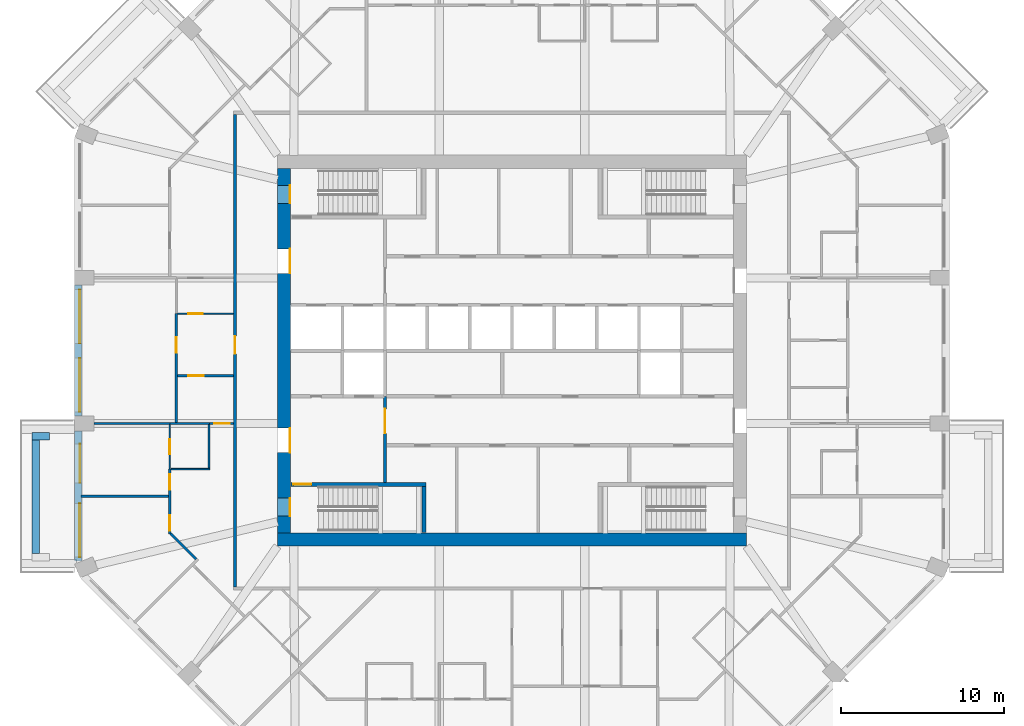
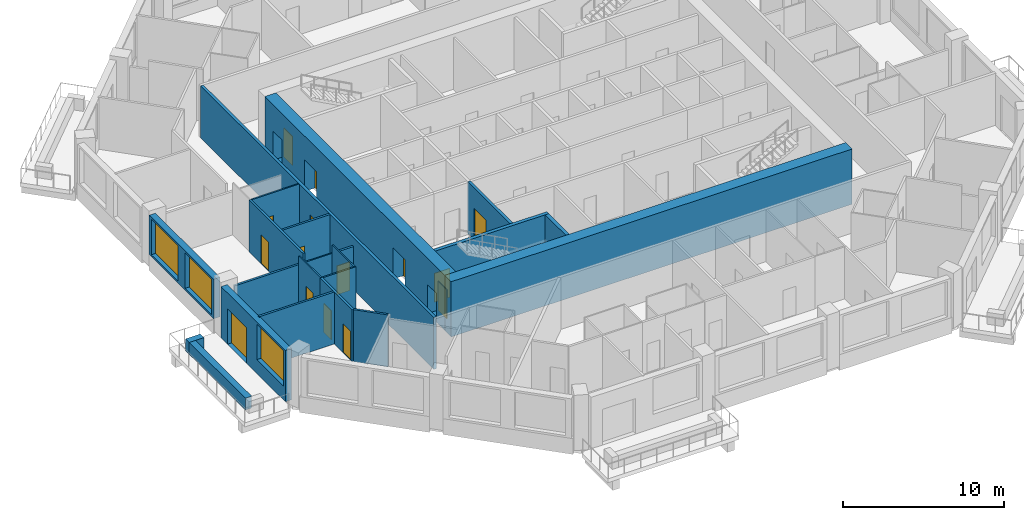
# One storey, part 4 of 12: 22 walls, 15 doors, 3 windows, 18 openings.
"""IFC4 building model written with IfcOpenShell, lengths in metres."""

from ifc_helpers import new_model, si_unit, direction, frame, frame_2d, origin, place, context, subcontext, project, spatial, rectangle, extrude, material, layer, layer_set, type_object, element, fill, save


model = new_model("IFC4")

# Units and contexts
model_context = context("Model", 3, precision=1e-05, world=origin(), true_north=direction((0.0, 1.0)))
body_context = subcontext(model_context, "Body", "Model", "MODEL_VIEW")
ifc_project = project(units=[si_unit("LENGTHUNIT", "METRE"), si_unit("AREAUNIT", "SQUARE_METRE"), si_unit("VOLUMEUNIT", "CUBIC_METRE"), si_unit("PLANEANGLEUNIT", "RADIAN"), si_unit("MASSUNIT", "GRAM", prefix="KILO")], contexts=[model_context])

# Site, building, storey
site_placement = place(None, origin())
site = spatial("IfcSite", under=ifc_project, at=site_placement, CompositionType="ELEMENT")
building_placement = place(site_placement, origin())
building = spatial("IfcBuilding", under=site, at=building_placement, Name="Msitu Wima Residences", CompositionType="ELEMENT")
storey_placement = place(building_placement, frame((0.0, 0.0, 119.10009765625)))
storey = spatial("IfcBuildingStorey", under=building, at=storey_placement, Name="L27", CompositionType="ELEMENT", Elevation=119.10009765625)

# Walls
ifc_material_1 = material(Name="Facing brick")
ifc_layer_1 = layer(ifc_material_1, 0.06494140625, Name="Facing brick")
ifc_material_2 = material(Name="Concrete C40/50", Category="concrete")
ifc_layer_2 = layer(ifc_material_2, 0.156005859375, Name="Concrete C40/50")
ifc_material_3 = material(Name="Waterproofing membrane")
ifc_layer_3 = layer(ifc_material_3, 0.00390625, Name="Waterproofing membrane")
ifc_material_4 = material(Name="Planting soil and planting")
ifc_layer_4 = layer(ifc_material_4, 0.22509765625, Name="Planting soil and planting")
ifc_layer_set_1 = layer_set([ifc_layer_1, ifc_layer_2, ifc_layer_3, ifc_layer_4], Name="Concrete C40/50")
wall_type_1 = type_object("IfcWallType", Name="Balcony planter PLANTER PL450", PredefinedType="USERDEFINED", material=ifc_layer_set_1)
wall_1_placement = place(storey_placement, frame((-29.22509765625, -5.468505859375, 0.0), z_axis=(0.0, 0.0, 1.0), x_axis=(0.0, -1.0, 0.0)))
element("IfcWall", 1, at=wall_1_placement, inside=storey, type_object=wall_type_1, Name="Balcony planter W2 L27", ObjectType="PLANTER", PredefinedType="USERDEFINED", context=body_context, shape_type="SweptSolid", body=[
    extrude(rectangle(XDim=6.9873046875, YDim=0.449951171875, at=frame_2d((3.49365234375, 0.0))), origin(), (0.0, 0.0, 1.0), 0.89990234375),
])
wall_2_placement = place(storey_placement, frame((-28.39990234375, -5.24365234375, 0.0), z_axis=(0.0, 0.0, 1.0), x_axis=(-1.0, 0.0, 0.0)))
element("IfcWall", 2, at=wall_2_placement, inside=storey, type_object=wall_type_1, Name="Balcony planter W2 L27", ObjectType="PLANTER", PredefinedType="USERDEFINED", context=body_context, shape_type="SweptSolid", body=[
    extrude(rectangle(XDim=1.050048828125, YDim=0.449951171875, at=frame_2d((0.52490234375, 0.0))), origin(), (0.0, 0.0, 1.0), 0.89990234375),
])

# Wall, openings, windows
ifc_material_5 = material(Name="Brick (red buff mix)", Category="masonry")
ifc_layer_5 = layer(ifc_material_5, 0.449951171875)
ifc_layer_set_2 = layer_set([ifc_layer_5], Name="Brick (red buff mix)")
wall_type_2 = type_object("IfcWallType", Name="Brick infill wall BW450", PredefinedType="SOLIDWALL", material=ifc_layer_set_2)
wall_3_placement = place(storey_placement, frame((-26.625, 4.0185546875, 0.89990234375), z_axis=(0.0, 0.0, 1.0), x_axis=(0.0, -1.0, 0.0)))
wall_3 = element("IfcWall", 3, at=wall_3_placement, inside=storey, type_object=wall_type_2, Name="Brick infill wall L27 W1", PredefinedType="SOLIDWALL", context=body_context, shape_type="SweptSolid", body=[
    extrude(rectangle(XDim=8.037109375, YDim=0.449951171875, at=frame_2d((4.0185546875, 0.0))), origin(), (0.0, 0.0, 1.0), 3.0),
])
opening_1_placement = place(wall_3_placement, frame((0.2685546875, 0.0, 0.14990234375)))
opening_1 = element("IfcOpeningElement", 4, at=opening_1_placement, cuts=wall_3, Name="Opening W27-29.031", PredefinedType="OPENING", context=body_context, shape_type="SweptSolid", body=[
    extrude(rectangle(XDim=3.300048828125, YDim=2.699951171875, at=frame_2d((1.64990234375, 1.35009765625))), frame((0.0, 0.23486328125, 0.0), z_axis=(0.0, -1.0, 0.0), x_axis=(1.0, 0.0, 0.0)), (0.0, 0.0, 1.0), 0.469970703125),
])
opening_2_placement = place(wall_3_placement, frame((4.46875, 0.0, 0.14990234375)))
opening_2 = element("IfcOpeningElement", 5, at=opening_2_placement, cuts=wall_3, Name="Opening W27-29.032", PredefinedType="OPENING", context=body_context, shape_type="SweptSolid", body=[
    extrude(rectangle(XDim=3.300048828125, YDim=2.699951171875, at=frame_2d((1.64990234375, 1.35009765625))), frame((0.0, 0.23486328125, 0.0), z_axis=(0.0, -1.0, 0.0), x_axis=(1.0, 0.0, 0.0)), (0.0, 0.0, 1.0), 0.469970703125),
])
ifc_material_6 = material(Name="Anodised aluminium, bronze finish, clear low-emissivity double glazing", Category="aluminium")
window_type = type_object("IfcWindowType", Name="Window W3300x2700", PartitioningType="DOUBLE_PANEL_VERTICAL", PredefinedType="WINDOW", material=ifc_material_6)
window_1_placement = place(opening_1_placement, origin())
window_1 = element("IfcWindow", 6, at=window_1_placement, inside=storey, type_object=window_type, Name="Window L27 W1.1", OverallHeight=2.699951171875, OverallWidth=3.300048828125, PartitioningType="SINGLE_PANEL", PredefinedType="WINDOW", context=body_context, shape_type="SweptSolid", body=[
    extrude(rectangle(XDim=3.300048828125, YDim=2.699951171875, at=frame_2d((1.64990234375, 1.35009765625))), frame((0.0, 0.135009765625, 0.0), z_axis=(0.0, -1.0, 0.0), x_axis=(1.0, 0.0, 0.0)), (0.0, 0.0, 1.0), 0.06005859375),
])
fill(opening_1, window_1)
window_2_placement = place(opening_2_placement, origin())
window_2 = element("IfcWindow", 7, at=window_2_placement, inside=storey, type_object=window_type, Name="Window L27 W1.2", OverallHeight=2.699951171875, OverallWidth=3.300048828125, PartitioningType="SINGLE_PANEL", PredefinedType="WINDOW", context=body_context, shape_type="SweptSolid", body=[
    extrude(rectangle(XDim=3.300048828125, YDim=2.699951171875, at=frame_2d((1.64990234375, 1.35009765625))), frame((0.0, 0.135009765625, 0.0), z_axis=(0.0, -1.0, 0.0), x_axis=(1.0, 0.0, 0.0)), (0.0, 0.0, 1.0), 0.06005859375),
])
fill(opening_2, window_2)

# Wall, openings, door, window
wall_4_placement = place(storey_placement, frame((-26.625, -4.918701171875, 0.0), z_axis=(0.0, 0.0, 1.0), x_axis=(0.0, -1.0, 0.0)))
wall_4 = element("IfcWall", 8, at=wall_4_placement, inside=storey, type_object=wall_type_2, Name="Brick infill wall L27 W2", PredefinedType="SOLIDWALL", context=body_context, shape_type="SweptSolid", body=[
    extrude(rectangle(XDim=8.0, YDim=0.449951171875, at=frame_2d((4.0, 0.0))), origin(), (0.0, 0.0, 1.0), 3.89990234375),
])
opening_3_placement = place(wall_4_placement, frame((0.800048828125, 0.0, 0.0)))
opening_3 = element("IfcOpeningElement", 9, at=opening_3_placement, cuts=wall_4, Name="Opening D27-29.007", PredefinedType="OPENING", context=body_context, shape_type="SweptSolid", body=[
    extrude(rectangle(XDim=2.39990234375, YDim=2.699951171875, at=frame_2d((1.199951171875, 1.35009765625))), frame((0.0, 0.23486328125, 0.0), z_axis=(0.0, -1.0, 0.0), x_axis=(1.0, 0.0, 0.0)), (0.0, 0.0, 1.0), 0.469970703125),
])
opening_4_placement = place(wall_4_placement, frame((4.4501953125, 0.0, 1.050048828125)))
opening_4 = element("IfcOpeningElement", 10, at=opening_4_placement, cuts=wall_4, Name="Opening W27-29.033", PredefinedType="OPENING", context=body_context, shape_type="SweptSolid", body=[
    extrude(rectangle(XDim=3.300048828125, YDim=2.699951171875, at=frame_2d((1.64990234375, 1.35009765625))), frame((0.0, 0.23486328125, 0.0), z_axis=(0.0, -1.0, 0.0), x_axis=(1.0, 0.0, 0.0)), (0.0, 0.0, 1.0), 0.469970703125),
])
door_type_1 = type_object("IfcDoorType", Name="Balcony door D2400x2700", OperationType="SLIDING_TO_LEFT", PredefinedType="DOOR", material=ifc_material_6)
door_1_placement = place(opening_3_placement, origin())
door_1 = element("IfcDoor", 11, at=door_1_placement, inside=storey, type_object=door_type_1, Name="Balcony door L27 W2", OperationType="SINGLE_SWING_LEFT", OverallHeight=2.699951171875, OverallWidth=2.39990234375, PredefinedType="DOOR", context=body_context, shape_type="SweptSolid", body=[
    extrude(rectangle(XDim=2.39990234375, YDim=2.699951171875, at=frame_2d((1.199951171875, 1.35009765625))), frame((0.0, 0.1298828125, 0.0), z_axis=(0.0, -1.0, 0.0), x_axis=(1.0, 0.0, 0.0)), (0.0, 0.0, 1.0), 0.050048828125),
])
fill(opening_3, door_1)
window_3_placement = place(opening_4_placement, origin())
window_3 = element("IfcWindow", 12, at=window_3_placement, inside=storey, type_object=window_type, Name="Window L27 W2.2", OverallHeight=2.699951171875, OverallWidth=3.300048828125, PartitioningType="SINGLE_PANEL", PredefinedType="WINDOW", context=body_context, shape_type="SweptSolid", body=[
    extrude(rectangle(XDim=3.300048828125, YDim=2.699951171875, at=frame_2d((1.64990234375, 1.35009765625))), frame((0.0, 0.135009765625, 0.0), z_axis=(0.0, -1.0, 0.0), x_axis=(1.0, 0.0, 0.0)), (0.0, 0.0, 1.0), 0.06005859375),
])
fill(opening_4, window_3)

# Wall
ifc_material_7 = material(Name="Concrete C70/85", Category="concrete")
ifc_layer_6 = layer(ifc_material_7, 0.800048828125)
ifc_layer_set_3 = layer_set([ifc_layer_6], Name="Concrete C70/85")
wall_type_3 = type_object("IfcWallType", Name="Core wall CW800 C70/85", PredefinedType="SHEAR", material=ifc_layer_set_3)
wall_5_placement = place(storey_placement, frame((-14.39990234375, -11.60009765625, 0.0), z_axis=(0.0, 0.0, 1.0), x_axis=(1.0, 0.0, 0.0)))
element("IfcWall", 13, at=wall_5_placement, inside=storey, type_object=wall_type_3, Name="Core wall", PredefinedType="SHEAR", context=body_context, shape_type="SweptSolid", body=[
    extrude(rectangle(XDim=28.7998046875, YDim=0.800048828125, at=frame_2d((14.39990234375, 0.0))), origin(), (0.0, 0.0, 1.0), 4.199951171875),
])

# Wall, openings, doors
wall_6_placement = place(storey_placement, frame((-14.0, -11.199951171875, 0.0), z_axis=(0.0, 0.0, 1.0), x_axis=(0.0, 1.0, 0.0)))
wall_6 = element("IfcWall", 14, at=wall_6_placement, inside=storey, type_object=wall_type_3, Name="Core wall", PredefinedType="SHEAR", context=body_context, shape_type="SweptSolid", body=[
    extrude(rectangle(XDim=22.39990234375, YDim=0.800048828125, at=frame_2d((11.199951171875, 0.0))), origin(), (0.0, 0.0, 1.0), 4.199951171875),
])
opening_5_placement = place(wall_6_placement, frame((20.25, 0.0, 0.0)))
opening_5 = element("IfcOpeningElement", 15, at=opening_5_placement, cuts=wall_6, Name="Opening D27-29.031", PredefinedType="OPENING", context=body_context, shape_type="SweptSolid", body=[
    extrude(rectangle(XDim=1.10009765625, YDim=2.199951171875, at=frame_2d((0.550048828125, 1.10009765625))), frame((0.0, 0.409912109375, 0.0), z_axis=(0.0, -1.0, 0.0), x_axis=(1.0, 0.0, 0.0)), (0.0, 0.0, 1.0), 0.820068359375),
])
opening_6_placement = place(wall_6_placement, frame((1.050048828125, 0.0, 0.0)))
opening_6 = element("IfcOpeningElement", 16, at=opening_6_placement, cuts=wall_6, Name="Opening D27-29.033", PredefinedType="OPENING", context=body_context, shape_type="SweptSolid", body=[
    extrude(rectangle(XDim=1.10009765625, YDim=2.199951171875, at=frame_2d((0.550048828125, 1.10009765625))), frame((0.0, 0.409912109375, 0.0), z_axis=(0.0, -1.0, 0.0), x_axis=(1.0, 0.0, 0.0)), (0.0, 0.0, 1.0), 0.820068359375),
])
opening_7_placement = place(wall_6_placement, frame((15.949951171875, 0.0, 0.0)))
opening_7 = element("IfcOpeningElement", 17, at=opening_7_placement, cuts=wall_6, Name="Opening D27-29.012", PredefinedType="OPENING", context=body_context, shape_type="SweptSolid", body=[
    extrude(rectangle(XDim=1.5, YDim=2.39990234375, at=frame_2d((0.75, 1.199951171875))), frame((0.0, 0.409912109375, 0.0), z_axis=(0.0, -1.0, 0.0), x_axis=(1.0, 0.0, 0.0)), (0.0, 0.0, 1.0), 0.820068359375),
])
opening_8_placement = place(wall_6_placement, frame((4.949951171875, 0.0, 0.0)))
opening_8 = element("IfcOpeningElement", 18, at=opening_8_placement, cuts=wall_6, Name="Opening D27-29.014", PredefinedType="OPENING", context=body_context, shape_type="SweptSolid", body=[
    extrude(rectangle(XDim=1.5, YDim=2.39990234375, at=frame_2d((0.75, 1.199951171875))), frame((0.0, 0.409912109375, 0.0), z_axis=(0.0, -1.0, 0.0), x_axis=(1.0, 0.0, 0.0)), (0.0, 0.0, 1.0), 0.820068359375),
])
ifc_material_8 = material(Name="Steel framed glazed door, fire resisting", Category="steel")
door_type_2 = type_object("IfcDoorType", Name="Lobby door D07 1500x2400", OperationType="DOUBLE_DOOR_SINGLE_SWING", PredefinedType="DOOR", material=ifc_material_8)
door_2_placement = place(opening_7_placement, origin())
door_2 = element("IfcDoor", 19, at=door_2_placement, inside=storey, type_object=door_type_2, Name="Lobby door", OperationType="DOUBLE_DOOR_SINGLE_SWING", OverallHeight=2.39990234375, OverallWidth=1.5, PredefinedType="DOOR", context=body_context, shape_type="SweptSolid", body=[
    extrude(rectangle(XDim=1.5, YDim=2.39990234375, at=frame_2d((0.75, 1.199951171875))), frame((0.0, -0.34521484375, 0.0), z_axis=(0.0, -1.0, 0.0), x_axis=(1.0, 0.0, 0.0)), (0.0, 0.0, 1.0), 0.050048828125),
])
fill(opening_7, door_2)
door_3_placement = place(opening_8_placement, origin())
door_3 = element("IfcDoor", 20, at=door_3_placement, inside=storey, type_object=door_type_2, Name="Lobby door", OperationType="DOUBLE_DOOR_SINGLE_SWING", OverallHeight=2.39990234375, OverallWidth=1.5, PredefinedType="DOOR", context=body_context, shape_type="SweptSolid", body=[
    extrude(rectangle(XDim=1.5, YDim=2.39990234375, at=frame_2d((0.75, 1.199951171875))), frame((0.0, -0.34521484375, 0.0), z_axis=(0.0, -1.0, 0.0), x_axis=(1.0, 0.0, 0.0)), (0.0, 0.0, 1.0), 0.050048828125),
])
fill(opening_8, door_3)
ifc_material_9 = material(Name="Steel door, fire resisting, panic bar", Category="steel")
door_type_3 = type_object("IfcDoorType", Name="Stair door D06 1100x2200", OperationType="SINGLE_SWING_LEFT", PredefinedType="DOOR", material=ifc_material_9)
door_4_placement = place(opening_5_placement, origin())
door_4 = element("IfcDoor", 21, at=door_4_placement, inside=storey, type_object=door_type_3, Name="Stair door", OperationType="SINGLE_SWING_RIGHT", OverallHeight=2.199951171875, OverallWidth=1.10009765625, PredefinedType="DOOR", context=body_context, shape_type="SweptSolid", body=[
    extrude(rectangle(XDim=1.10009765625, YDim=2.199951171875, at=frame_2d((0.550048828125, 1.10009765625))), frame((0.0, -0.34521484375, 0.0), z_axis=(0.0, -1.0, 0.0), x_axis=(1.0, 0.0, 0.0)), (0.0, 0.0, 1.0), 0.050048828125),
])
fill(opening_5, door_4)
door_5_placement = place(opening_6_placement, origin())
door_5 = element("IfcDoor", 22, at=door_5_placement, inside=storey, type_object=door_type_3, Name="Stair door", OperationType="SINGLE_SWING_LEFT", OverallHeight=2.199951171875, OverallWidth=1.10009765625, PredefinedType="DOOR", context=body_context, shape_type="SweptSolid", body=[
    extrude(rectangle(XDim=1.10009765625, YDim=2.199951171875, at=frame_2d((0.550048828125, 1.10009765625))), frame((0.0, -0.34521484375, 0.0), z_axis=(0.0, -1.0, 0.0), x_axis=(1.0, 0.0, 0.0)), (0.0, 0.0, 1.0), 0.050048828125),
])
fill(opening_6, door_5)

# Wall, opening, door
ifc_material_10 = material(Name="Plaster")
ifc_layer_7 = layer(ifc_material_10, 0.011962890625, Name="Plaster")
ifc_material_11 = material(Name="Concrete blockwork", Category="masonry")
ifc_layer_8 = layer(ifc_material_11, 0.176025390625, Name="Concrete blockwork")
ifc_layer_9 = layer(ifc_material_10, 0.011962890625, Name="Plaster")
ifc_layer_set_4 = layer_set([ifc_layer_7, ifc_layer_8, ifc_layer_9], Name="Concrete blockwork")
wall_type_4 = type_object("IfcWallType", Name="Corridor wall FW200", PredefinedType="PARTITIONING", material=ifc_layer_set_4)
wall_7_placement = place(storey_placement, frame((-17.0, -14.5, 0.0), z_axis=(0.0, 0.0, 1.0), x_axis=(0.0, 1.0, 0.0)))
wall_7 = element("IfcWall", 23, at=wall_7_placement, inside=storey, type_object=wall_type_4, Name="Corridor wall", PredefinedType="PARTITIONING", context=body_context, shape_type="SweptSolid", body=[
    extrude(rectangle(XDim=29.0, YDim=0.199951171875, at=frame_2d((14.5, 0.0))), origin(), (0.0, 0.0, 1.0), 3.949951171875),
])
opening_9_placement = place(wall_7_placement, frame((14.300048828125, 0.0, 0.0)))
opening_9 = element("IfcOpeningElement", 24, at=opening_9_placement, cuts=wall_7, Name="Opening D27-29.009", PredefinedType="OPENING", context=body_context, shape_type="SweptSolid", body=[
    extrude(rectangle(XDim=1.10009765625, YDim=2.39990234375, at=frame_2d((0.550048828125, 1.199951171875))), frame((0.0, 0.10986328125, 0.0), z_axis=(0.0, -1.0, 0.0), x_axis=(1.0, 0.0, 0.0)), (0.0, 0.0, 1.0), 0.219970703125),
])
ifc_material_12 = material(Name="Timber flush door, fire resisting, self-closing", Category="wood")
door_type_4 = type_object("IfcDoorType", Name="Flat entrance door D01 1100x2400", OperationType="SINGLE_SWING_LEFT", PredefinedType="DOOR", material=ifc_material_12)
door_6_placement = place(opening_9_placement, origin())
door_6 = element("IfcDoor", 25, at=door_6_placement, inside=storey, type_object=door_type_4, Name="Flat entrance door", OperationType="SINGLE_SWING_LEFT", OverallHeight=2.39990234375, OverallWidth=1.10009765625, PredefinedType="DOOR", context=body_context, shape_type="SweptSolid", body=[
    extrude(rectangle(XDim=1.10009765625, YDim=2.39990234375, at=frame_2d((0.550048828125, 1.199951171875))), frame((0.0, 0.02490234375, 0.0), z_axis=(0.0, -1.0, 0.0), x_axis=(1.0, 0.0, 0.0)), (0.0, 0.0, 1.0), 0.050048828125),
])
fill(opening_9, door_6)

wall_8_placement = place(storey_placement, frame((-7.800048828125, -8.074951171875, 0.0), z_axis=(0.0, 0.0, 1.0), x_axis=(0.0, 1.0, 0.0)))
wall_8 = element("IfcWall", 26, at=wall_8_placement, inside=storey, type_object=wall_type_4, Name="Corridor wall", PredefinedType="PARTITIONING", context=body_context, shape_type="SweptSolid", body=[
    extrude(rectangle(XDim=5.27490234375, YDim=0.199951171875, at=frame_2d((2.637451171875, 0.0))), origin(), (0.0, 0.0, 1.0), 3.949951171875),
])
opening_10_placement = place(wall_8_placement, frame((3.0, 0.0, 0.0)))
opening_10 = element("IfcOpeningElement", 27, at=opening_10_placement, cuts=wall_8, Name="Opening D27-29.015", PredefinedType="OPENING", context=body_context, shape_type="SweptSolid", body=[
    extrude(rectangle(XDim=1.5, YDim=2.39990234375, at=frame_2d((0.75, 1.199951171875))), frame((0.0, 0.10986328125, 0.0), z_axis=(0.0, -1.0, 0.0), x_axis=(1.0, 0.0, 0.0)), (0.0, 0.0, 1.0), 0.219970703125),
])
door_7_placement = place(opening_10_placement, origin())
door_7 = element("IfcDoor", 28, at=door_7_placement, inside=storey, type_object=door_type_2, Name="Lobby door", OperationType="DOUBLE_DOOR_SINGLE_SWING", OverallHeight=2.39990234375, OverallWidth=1.5, PredefinedType="DOOR", context=body_context, shape_type="SweptSolid", body=[
    extrude(rectangle(XDim=1.5, YDim=2.39990234375, at=frame_2d((0.75, 1.199951171875))), frame((0.0, 0.02490234375, 0.0), z_axis=(0.0, -1.0, 0.0), x_axis=(1.0, 0.0, 0.0)), (0.0, 0.0, 1.0), 0.050048828125),
])
fill(opening_10, door_7)

# Walls
ifc_layer_10 = layer(ifc_material_10, 0.011962890625, Name="Plaster")
ifc_layer_11 = layer(ifc_material_11, 0.1259765625, Name="Concrete blockwork")
ifc_layer_12 = layer(ifc_material_10, 0.011962890625, Name="Plaster")
ifc_layer_set_5 = layer_set([ifc_layer_10, ifc_layer_11, ifc_layer_12], Name="Concrete blockwork")
wall_type_5 = type_object("IfcWallType", Name="Partition PW150", PredefinedType="PARTITIONING", material=ifc_layer_set_5)
wall_9_placement = place(storey_placement, frame((-26.455078125, -8.937255859375, 0.0), z_axis=(0.0, 0.0, 1.0), x_axis=(1.0, 0.0, 0.0)))
element("IfcWall", 29, at=wall_9_placement, inside=storey, type_object=wall_type_5, Name="Partition", PredefinedType="PARTITIONING", context=body_context, shape_type="SweptSolid", body=[
    extrude(rectangle(XDim=5.380126953125, YDim=0.14990234375, at=frame_2d((2.68994140625, 0.0))), origin(), (0.0, 0.0, 1.0), 3.949951171875),
])
wall_10_placement = place(storey_placement, frame((-25.64990234375, -4.46875, 0.0), z_axis=(0.0, 0.0, 1.0), x_axis=(1.0, 0.0, 0.0)))
element("IfcWall", 30, at=wall_10_placement, inside=storey, type_object=wall_type_5, Name="Partition", PredefinedType="PARTITIONING", context=body_context, shape_type="SweptSolid", body=[
    extrude(rectangle(XDim=4.669921875, YDim=0.14990234375, at=frame_2d((2.3349609375, 0.0))), origin(), (0.0, 0.0, 1.0), 3.2998046875),
])

# Wall, openings, doors
wall_11_placement = place(storey_placement, frame((-21.0, -11.244140625, 0.0), z_axis=(0.0, 0.0, 1.0), x_axis=(0.0, 1.0, 0.0)))
wall_11 = element("IfcWall", 31, at=wall_11_placement, inside=storey, type_object=wall_type_5, Name="Partition", PredefinedType="PARTITIONING", context=body_context, shape_type="SweptSolid", body=[
    extrude(rectangle(XDim=3.99560546875, YDim=0.14990234375, at=frame_2d((1.997802734375, 0.0))), origin(), (0.0, 0.0, 1.0), 3.949951171875),
])
opening_11_placement = place(wall_11_placement, frame((2.699951171875, 0.0, 0.0)))
opening_11 = element("IfcOpeningElement", 32, at=opening_11_placement, cuts=wall_11, Name="Opening D27-29.060", PredefinedType="OPENING", context=body_context, shape_type="SweptSolid", body=[
    extrude(rectangle(XDim=0.949951171875, YDim=2.199951171875, at=frame_2d((0.47509765625, 1.10009765625))), frame((0.0, 0.0849609375, 0.0), z_axis=(0.0, -1.0, 0.0), x_axis=(1.0, 0.0, 0.0)), (0.0, 0.0, 1.0), 0.169921875),
])
opening_12_placement = place(wall_11_placement, frame((0.199951171875, 0.0, 0.0)))
opening_12 = element("IfcOpeningElement", 33, at=opening_12_placement, cuts=wall_11, Name="Opening D27-29.064", PredefinedType="OPENING", context=body_context, shape_type="SweptSolid", body=[
    extrude(rectangle(XDim=0.949951171875, YDim=2.199951171875, at=frame_2d((0.47509765625, 1.10009765625))), frame((0.0, 0.0849609375, 0.0), z_axis=(0.0, -1.0, 0.0), x_axis=(1.0, 0.0, 0.0)), (0.0, 0.0, 1.0), 0.169921875),
])
ifc_material_13 = material(Name="Timber flush door", Category="wood")
door_type_5 = type_object("IfcDoorType", Name="Room door D12 950x2200", OperationType="SINGLE_SWING_LEFT", PredefinedType="DOOR", material=ifc_material_13)
door_8_placement = place(opening_11_placement, origin())
door_8 = element("IfcDoor", 34, at=door_8_placement, inside=storey, type_object=door_type_5, Name="Room door", OperationType="SINGLE_SWING_LEFT", OverallHeight=2.199951171875, OverallWidth=0.949951171875, PredefinedType="DOOR", context=body_context, shape_type="SweptSolid", body=[
    extrude(rectangle(XDim=0.949951171875, YDim=2.199951171875, at=frame_2d((0.47509765625, 1.10009765625))), frame((0.0, 0.02490234375, 0.0), z_axis=(0.0, -1.0, 0.0), x_axis=(1.0, 0.0, 0.0)), (0.0, 0.0, 1.0), 0.050048828125),
])
fill(opening_11, door_8)
door_9_placement = place(opening_12_placement, origin())
door_9 = element("IfcDoor", 35, at=door_9_placement, inside=storey, type_object=door_type_5, Name="Room door", OperationType="SINGLE_SWING_RIGHT", OverallHeight=2.199951171875, OverallWidth=0.949951171875, PredefinedType="DOOR", context=body_context, shape_type="SweptSolid", body=[
    extrude(rectangle(XDim=0.949951171875, YDim=2.199951171875, at=frame_2d((0.47509765625, 1.10009765625))), frame((0.0, 0.02490234375, 0.0), z_axis=(0.0, -1.0, 0.0), x_axis=(1.0, 0.0, 0.0)), (0.0, 0.0, 1.0), 0.050048828125),
])
fill(opening_12, door_9)

# Wall
wall_12_placement = place(storey_placement, frame((-20.947021484375, -11.22216796875, 0.0), z_axis=(0.0, 0.0, 1.0), x_axis=(0.707106781187, -0.707106781187, 0.0)))
element("IfcWall", 36, at=wall_12_placement, inside=storey, type_object=wall_type_5, Name="Partition", PredefinedType="PARTITIONING", context=body_context, shape_type="SweptSolid", body=[
    extrude(rectangle(XDim=2.207275390625, YDim=0.14990234375, at=frame_2d((1.103515625, 0.0))), origin(), (0.0, 0.0, 1.0), 3.949951171875),
])

# Wall, opening, door
wall_13_placement = place(storey_placement, frame((-20.60009765625, -4.418701171875, 0.0), z_axis=(0.0, 0.0, 1.0), x_axis=(0.0, 1.0, 0.0)))
wall_13 = element("IfcWall", 37, at=wall_13_placement, inside=storey, type_object=wall_type_5, Name="Partition", PredefinedType="PARTITIONING", context=body_context, shape_type="SweptSolid", body=[
    extrude(rectangle(XDim=6.707275390625, YDim=0.14990234375, at=frame_2d((3.353515625, 0.0))), origin(), (0.0, 0.0, 1.0), 3.949951171875),
])
opening_13_placement = place(wall_13_placement, frame((4.300048828125, 0.0, 0.0)))
opening_13 = element("IfcOpeningElement", 38, at=opening_13_placement, cuts=wall_13, Name="Opening D27-29.049", PredefinedType="OPENING", context=body_context, shape_type="SweptSolid", body=[
    extrude(rectangle(XDim=0.949951171875, YDim=2.199951171875, at=frame_2d((0.47509765625, 1.10009765625))), frame((0.0, 0.0849609375, 0.0), z_axis=(0.0, -1.0, 0.0), x_axis=(1.0, 0.0, 0.0)), (0.0, 0.0, 1.0), 0.169921875),
])
door_10_placement = place(opening_13_placement, origin())
door_10 = element("IfcDoor", 39, at=door_10_placement, inside=storey, type_object=door_type_5, Name="Room door", OperationType="SINGLE_SWING_RIGHT", OverallHeight=2.199951171875, OverallWidth=0.949951171875, PredefinedType="DOOR", context=body_context, shape_type="SweptSolid", body=[
    extrude(rectangle(XDim=0.949951171875, YDim=2.199951171875, at=frame_2d((0.47509765625, 1.10009765625))), frame((0.0, 0.02490234375, 0.0), z_axis=(0.0, -1.0, 0.0), x_axis=(1.0, 0.0, 0.0)), (0.0, 0.0, 1.0), 0.050048828125),
])
fill(opening_13, door_10)

wall_14_placement = place(storey_placement, frame((-20.52490234375, -1.53125, 0.0), z_axis=(0.0, 0.0, 1.0), x_axis=(1.0, 0.0, 0.0)))
wall_14 = element("IfcWall", 40, at=wall_14_placement, inside=storey, type_object=wall_type_5, Name="Partition", PredefinedType="PARTITIONING", context=body_context, shape_type="SweptSolid", body=[
    extrude(rectangle(XDim=3.4248046875, YDim=0.14990234375, at=frame_2d((1.71240234375, 0.0))), origin(), (0.0, 0.0, 1.0), 3.949951171875),
])
opening_14_placement = place(wall_14_placement, frame((0.64990234375, 0.0, 0.0)))
opening_14 = element("IfcOpeningElement", 41, at=opening_14_placement, cuts=wall_14, Name="Opening D27-29.051", PredefinedType="OPENING", context=body_context, shape_type="SweptSolid", body=[
    extrude(rectangle(XDim=0.949951171875, YDim=2.199951171875, at=frame_2d((0.47509765625, 1.10009765625))), frame((0.0, 0.0849609375, 0.0), z_axis=(0.0, -1.0, 0.0), x_axis=(1.0, 0.0, 0.0)), (0.0, 0.0, 1.0), 0.169921875),
])
door_11_placement = place(opening_14_placement, origin())
door_11 = element("IfcDoor", 42, at=door_11_placement, inside=storey, type_object=door_type_5, Name="Room door", OperationType="SINGLE_SWING_RIGHT", OverallHeight=2.199951171875, OverallWidth=0.949951171875, PredefinedType="DOOR", context=body_context, shape_type="SweptSolid", body=[
    extrude(rectangle(XDim=0.949951171875, YDim=2.199951171875, at=frame_2d((0.47509765625, 1.10009765625))), frame((0.0, 0.02490234375, 0.0), z_axis=(0.0, -1.0, 0.0), x_axis=(1.0, 0.0, 0.0)), (0.0, 0.0, 1.0), 0.050048828125),
])
fill(opening_14, door_11)

wall_15_placement = place(storey_placement, frame((-18.580078125, -4.46875, 0.0), z_axis=(0.0, 0.0, 1.0), x_axis=(1.0, 0.0, 0.0)))
wall_15 = element("IfcWall", 43, at=wall_15_placement, inside=storey, type_object=wall_type_5, Name="Partition", PredefinedType="PARTITIONING", context=body_context, shape_type="SweptSolid", body=[
    extrude(rectangle(XDim=1.47998046875, YDim=0.14990234375, at=frame_2d((0.739990234375, 0.0))), origin(), (0.0, 0.0, 1.0), 3.2998046875),
])
opening_15_placement = place(wall_15_placement, frame((0.300048828125, 0.0, 0.0)))
opening_15 = element("IfcOpeningElement", 44, at=opening_15_placement, cuts=wall_15, Name="Opening D27-29.058", PredefinedType="OPENING", context=body_context, shape_type="SweptSolid", body=[
    extrude(rectangle(XDim=0.949951171875, YDim=2.199951171875, at=frame_2d((0.47509765625, 1.10009765625))), frame((0.0, 0.0849609375, 0.0), z_axis=(0.0, -1.0, 0.0), x_axis=(1.0, 0.0, 0.0)), (0.0, 0.0, 1.0), 0.169921875),
])
door_12_placement = place(opening_15_placement, origin())
door_12 = element("IfcDoor", 45, at=door_12_placement, inside=storey, type_object=door_type_5, Name="Room door", OperationType="SINGLE_SWING_RIGHT", OverallHeight=2.199951171875, OverallWidth=0.949951171875, PredefinedType="DOOR", context=body_context, shape_type="SweptSolid", body=[
    extrude(rectangle(XDim=0.949951171875, YDim=2.199951171875, at=frame_2d((0.47509765625, 1.10009765625))), frame((0.0, 0.02490234375, 0.0), z_axis=(0.0, -1.0, 0.0), x_axis=(1.0, 0.0, 0.0)), (0.0, 0.0, 1.0), 0.050048828125),
])
fill(opening_15, door_12)

ifc_material_14 = material(Name="Concrete C50/60", Category="concrete")
ifc_layer_13 = layer(ifc_material_14, 0.25)
ifc_layer_set_6 = layer_set([ifc_layer_13], Name="Concrete C50/60")
wall_type_6 = type_object("IfcWallType", Name="Stair enclosure wall SW250", PredefinedType="SHEAR", material=ifc_layer_set_6)
wall_16_placement = place(storey_placement, frame((-13.570068359375, -8.199951171875, 0.0), z_axis=(0.0, 0.0, 1.0), x_axis=(1.0, 0.0, 0.0)))
wall_16 = element("IfcWall", 46, at=wall_16_placement, inside=storey, type_object=wall_type_6, Name="Stair enclosure wall", PredefinedType="SHEAR", context=body_context, shape_type="SweptSolid", body=[
    extrude(rectangle(XDim=8.295166015625, YDim=0.25, at=frame_2d((4.1474609375, 0.0))), origin(), (0.0, 0.0, 1.0), 3.949951171875),
])
opening_16_placement = place(wall_16_placement, frame((0.14990234375, 0.0, 0.0)))
opening_16 = element("IfcOpeningElement", 47, at=opening_16_placement, cuts=wall_16, Name="Opening D27-29.034", PredefinedType="OPENING", context=body_context, shape_type="SweptSolid", body=[
    extrude(rectangle(XDim=1.10009765625, YDim=2.199951171875, at=frame_2d((0.550048828125, 1.10009765625))), frame((0.0, 0.135009765625, 0.0), z_axis=(0.0, -1.0, 0.0), x_axis=(1.0, 0.0, 0.0)), (0.0, 0.0, 1.0), 0.27001953125),
])
door_13_placement = place(opening_16_placement, origin())
door_13 = element("IfcDoor", 48, at=door_13_placement, inside=storey, type_object=door_type_3, Name="Stair door", OperationType="SINGLE_SWING_RIGHT", OverallHeight=2.199951171875, OverallWidth=1.10009765625, PredefinedType="DOOR", context=body_context, shape_type="SweptSolid", body=[
    extrude(rectangle(XDim=1.10009765625, YDim=2.199951171875, at=frame_2d((0.550048828125, 1.10009765625))), frame((0.0, 0.02490234375, 0.0), z_axis=(0.0, -1.0, 0.0), x_axis=(1.0, 0.0, 0.0)), (0.0, 0.0, 1.0), 0.050048828125),
])
fill(opening_16, door_13)

# Walls
wall_17_placement = place(storey_placement, frame((-5.39990234375, -11.169921875, 0.0), z_axis=(0.0, 0.0, 1.0), x_axis=(0.0, 1.0, 0.0)))
element("IfcWall", 49, at=wall_17_placement, inside=storey, type_object=wall_type_6, Name="Stair enclosure wall", PredefinedType="SHEAR", context=body_context, shape_type="SweptSolid", body=[
    extrude(rectangle(XDim=2.844970703125, YDim=0.25, at=frame_2d((1.42236328125, 0.0))), origin(), (0.0, 0.0, 1.0), 3.949951171875),
])
ifc_material_15 = material(Name="Ceramic tiles")
ifc_layer_14 = layer(ifc_material_15, 0.008056640625, Name="Ceramic tiles")
ifc_material_16 = material(Name="Moisture-resistant board")
ifc_layer_15 = layer(ifc_material_16, 0.012451171875, Name="Moisture-resistant board")
ifc_material_17 = material(Name="Light-gauge stud framing with mineral wool")
ifc_layer_16 = layer(ifc_material_17, 0.06689453125, Name="Light-gauge stud framing with mineral wool")
ifc_layer_17 = layer(ifc_material_16, 0.012451171875, Name="Moisture-resistant board")
ifc_layer_set_7 = layer_set([ifc_layer_14, ifc_layer_15, ifc_layer_16, ifc_layer_17], Name="Light-gauge stud framing with mineral wool")
wall_type_7 = type_object("IfcWallType", Name="Wet wall PW100", PredefinedType="PARTITIONING", material=ifc_layer_set_7)
wall_18_placement = place(storey_placement, frame((-20.97998046875, -4.46875, 0.0), z_axis=(0.0, 0.0, 1.0), x_axis=(1.0, 0.0, 0.0)))
element("IfcWall", 50, at=wall_18_placement, inside=storey, type_object=wall_type_7, Name="Wet wall", PredefinedType="PARTITIONING", context=body_context, shape_type="SweptSolid", body=[
    extrude(rectangle(XDim=2.39990234375, YDim=0.10009765625, at=frame_2d((1.199951171875, 0.0))), origin(), (0.0, 0.0, 1.0), 3.2998046875),
])

# Wall, opening, door
wall_19_placement = place(storey_placement, frame((-21.0, -7.24853515625, 0.0), z_axis=(0.0, 0.0, 1.0), x_axis=(0.0, 1.0, 0.0)))
wall_19 = element("IfcWall", 51, at=wall_19_placement, inside=storey, type_object=wall_type_7, Name="Wet wall", PredefinedType="PARTITIONING", context=body_context, shape_type="SweptSolid", body=[
    extrude(rectangle(XDim=2.704833984375, YDim=0.10009765625, at=frame_2d((1.3525390625, 0.0))), origin(), (0.0, 0.0, 1.0), 3.949951171875),
])
opening_17_placement = place(wall_19_placement, frame((0.89990234375, 0.0, 0.0)))
opening_17 = element("IfcOpeningElement", 52, at=opening_17_placement, cuts=wall_19, Name="Opening D27-29.061", PredefinedType="OPENING", context=body_context, shape_type="SweptSolid", body=[
    extrude(rectangle(XDim=0.89990234375, YDim=2.199951171875, at=frame_2d((0.449951171875, 1.10009765625))), frame((0.0, 0.06005859375, 0.0), z_axis=(0.0, -1.0, 0.0), x_axis=(1.0, 0.0, 0.0)), (0.0, 0.0, 1.0), 0.1201171875),
])
ifc_material_18 = material(Name="Timber flush door, moisture resistant", Category="wood")
door_type_6 = type_object("IfcDoorType", Name="Bathroom door D03 900x2200", OperationType="SINGLE_SWING_LEFT", PredefinedType="DOOR", material=ifc_material_18)
door_14_placement = place(opening_17_placement, origin())
door_14 = element("IfcDoor", 53, at=door_14_placement, inside=storey, type_object=door_type_6, Name="Bathroom door", OperationType="SINGLE_SWING_RIGHT", OverallHeight=2.199951171875, OverallWidth=0.89990234375, PredefinedType="DOOR", context=body_context, shape_type="SweptSolid", body=[
    extrude(rectangle(XDim=0.89990234375, YDim=2.199951171875, at=frame_2d((0.449951171875, 1.10009765625))), frame((0.0, 0.02490234375, 0.0), z_axis=(0.0, -1.0, 0.0), x_axis=(1.0, 0.0, 0.0)), (0.0, 0.0, 1.0), 0.050048828125),
])
fill(opening_17, door_14)

# Wall
wall_20_placement = place(storey_placement, frame((-20.925048828125, -7.2685546875, 0.0), z_axis=(0.0, 0.0, 1.0), x_axis=(1.0, 0.0, 0.0)))
element("IfcWall", 54, at=wall_20_placement, inside=storey, type_object=wall_type_7, Name="Wet wall", PredefinedType="PARTITIONING", context=body_context, shape_type="SweptSolid", body=[
    extrude(rectangle(XDim=2.375, YDim=0.10009765625, at=frame_2d((1.1875, 0.0))), origin(), (0.0, 0.0, 1.0), 3.949951171875),
])

# Wall, opening, door
wall_21_placement = place(storey_placement, frame((-20.52490234375, 2.2685546875, 0.0), z_axis=(0.0, 0.0, 1.0), x_axis=(1.0, 0.0, 0.0)))
wall_21 = element("IfcWall", 55, at=wall_21_placement, inside=storey, type_object=wall_type_7, Name="Wet wall", PredefinedType="PARTITIONING", context=body_context, shape_type="SweptSolid", body=[
    extrude(rectangle(XDim=3.4248046875, YDim=0.10009765625, at=frame_2d((1.71240234375, 0.0))), origin(), (0.0, 0.0, 1.0), 3.949951171875),
])
opening_18_placement = place(wall_21_placement, frame((0.64990234375, 0.0, 0.0)))
opening_18 = element("IfcOpeningElement", 56, at=opening_18_placement, cuts=wall_21, Name="Opening D27-29.050", PredefinedType="OPENING", context=body_context, shape_type="SweptSolid", body=[
    extrude(rectangle(XDim=0.89990234375, YDim=2.199951171875, at=frame_2d((0.449951171875, 1.10009765625))), frame((0.0, 0.06005859375, 0.0), z_axis=(0.0, -1.0, 0.0), x_axis=(1.0, 0.0, 0.0)), (0.0, 0.0, 1.0), 0.1201171875),
])
door_15_placement = place(opening_18_placement, origin())
door_15 = element("IfcDoor", 57, at=door_15_placement, inside=storey, type_object=door_type_6, Name="Bathroom door", OperationType="SINGLE_SWING_LEFT", OverallHeight=2.199951171875, OverallWidth=0.89990234375, PredefinedType="DOOR", context=body_context, shape_type="SweptSolid", body=[
    extrude(rectangle(XDim=0.89990234375, YDim=2.199951171875, at=frame_2d((0.449951171875, 1.10009765625))), frame((0.0, 0.02490234375, 0.0), z_axis=(0.0, -1.0, 0.0), x_axis=(1.0, 0.0, 0.0)), (0.0, 0.0, 1.0), 0.050048828125),
])
fill(opening_18, door_15)

# Wall
wall_22_placement = place(storey_placement, frame((-18.60009765625, -7.21875, 0.0), z_axis=(0.0, 0.0, 1.0), x_axis=(0.0, 1.0, 0.0)))
element("IfcWall", 58, at=wall_22_placement, inside=storey, type_object=wall_type_7, Name="Wet wall", PredefinedType="PARTITIONING", context=body_context, shape_type="SweptSolid", body=[
    extrude(rectangle(XDim=2.675048828125, YDim=0.10009765625, at=frame_2d((1.33740234375, 0.0))), origin(), (0.0, 0.0, 1.0), 3.949951171875),
])

save(model, "model.ifc")
